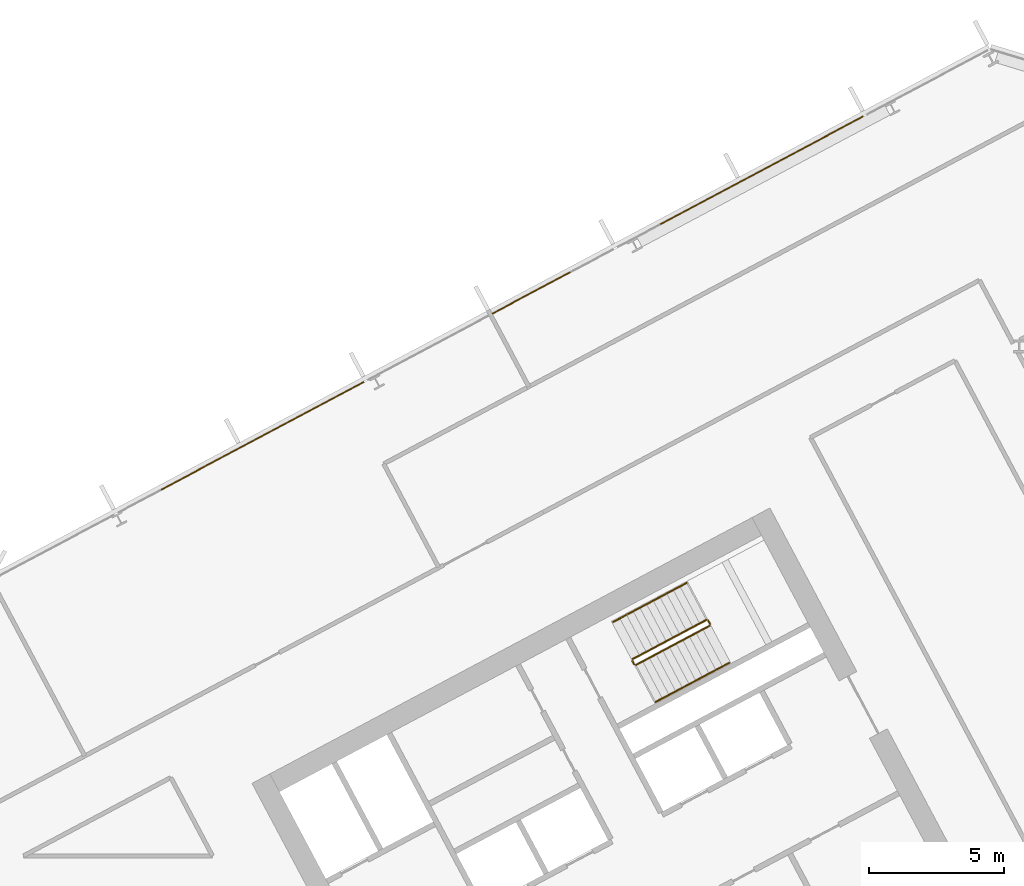
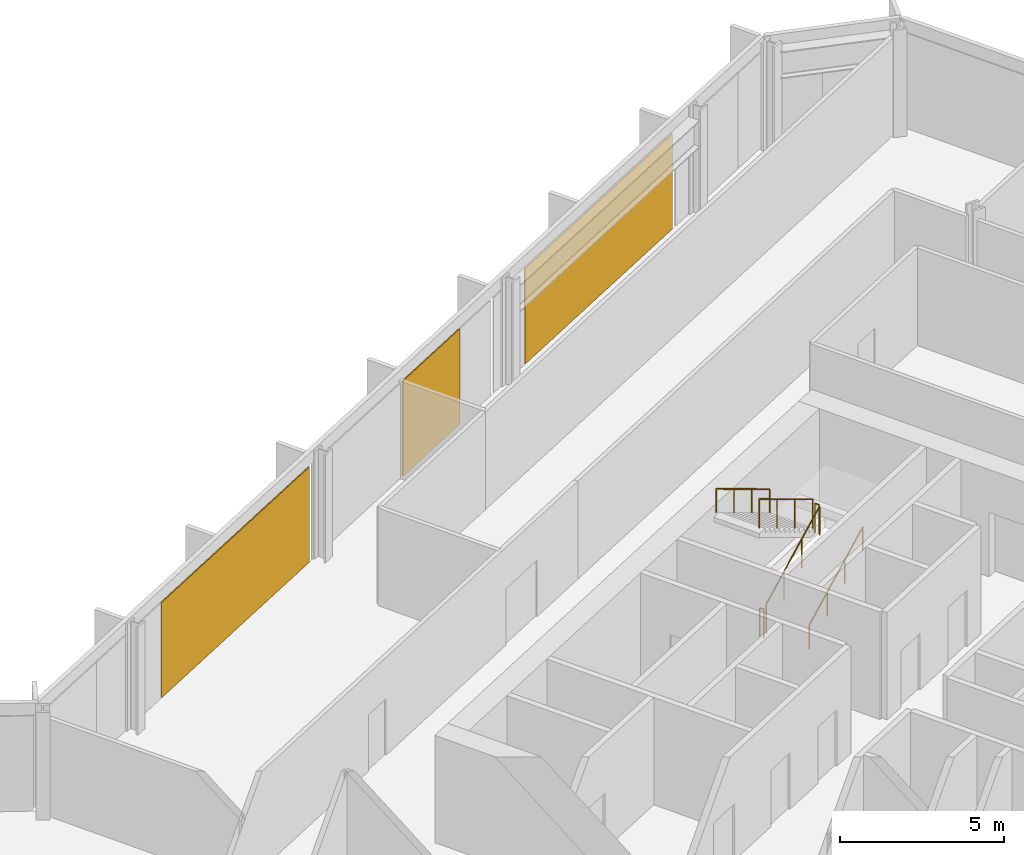
# One storey, part 27 of 28: 6 railings, 3 coverings, 1 element without a shape of its own.
"""IFC4 building model written with IfcOpenShell, lengths in metres."""

from ifc_helpers import new_model, si_unit, direction, frame, origin, origin_2d, place, context, subcontext, project, spatial, polyline, rectangle, outline, extrude, material, layer, layer_set, type_object, element, aggregate, save


model = new_model("IFC4")

# Units and contexts
model_context = context("Model", 3, precision=1e-05, world=origin(), true_north=direction((0.0, 1.0)))
body_context = subcontext(model_context, "Body", "Model", "MODEL_VIEW")
ifc_project = project(units=[si_unit("LENGTHUNIT", "METRE"), si_unit("AREAUNIT", "SQUARE_METRE"), si_unit("VOLUMEUNIT", "CUBIC_METRE"), si_unit("PLANEANGLEUNIT", "RADIAN"), si_unit("MASSUNIT", "GRAM", prefix="KILO")], contexts=[model_context])

# Site, building, storey
site_placement = place(None, origin())
site = spatial("IfcSite", under=ifc_project, at=site_placement, CompositionType="ELEMENT")
building_placement = place(site_placement, origin())
building = spatial("IfcBuilding", under=site, at=building_placement, Name="Cormorant Relay Tower", CompositionType="ELEMENT")
storey_placement = place(building_placement, frame((0.0, 0.0, 146.199951171875)))
storey = spatial("IfcBuildingStorey", under=building, at=storey_placement, Name="L30", CompositionType="ELEMENT", Elevation=146.199951171875)

# Curtain wall, coverings
ifc_material_1 = material(Name="Aluminium 6063-T6 anodised bronze", Category="aluminium")
ifc_layer_1 = layer(ifc_material_1, 0.199951171875)
ifc_layer_set_1 = layer_set([ifc_layer_1], Name="CW1 unitised bronze curtain wall with vertical fins")
curtain_wall_type = type_object("IfcCurtainWallType", Name="CW1 unitised bronze curtain wall with vertical fins", PredefinedType="NOTDEFINED", material=ifc_layer_set_1)
curtain_wall_placement = place(storey_placement, origin())
curtain_wall = element("IfcCurtainWall", 1, at=curtain_wall_placement, inside=storey, type_object=curtain_wall_type, Name="CW1 curtain wall 8", PredefinedType="NOTDEFINED")
ifc_material_2 = material(Name="Pale bronze anodised aluminium insulated panel", Category="aluminium")
ifc_layer_2 = layer(ifc_material_2, 0.0400390625)
ifc_layer_set_2 = layer_set([ifc_layer_2], Name="CW1 pale bronze insulated panel 40")
covering_type = type_object("IfcCoveringType", Name="CW1 pale bronze insulated panel 40", PredefinedType="CLADDING", material=ifc_layer_set_2)
covering_1_placement = place(storey_placement, frame((28.48828125, 38.9541015625, 0.0), z_axis=(0.0, 0.0, 1.0), x_axis=(-0.882947592859, -0.469471562786, 0.0)))
covering_1 = element("IfcCovering", 2, at=covering_1_placement, type_object=covering_type, Name="CW1 panel S02", PredefinedType="CLADDING", context=body_context, shape_type="SweptSolid", body=[
    extrude(rectangle(XDim=8.508544921875, YDim=0.0400390625, at=origin_2d()), origin(), (0.0, 0.0, 1.0), 3.550048828125),
])
covering_2_placement = place(storey_placement, frame((19.97314453125, 34.426513671875, 0.0), z_axis=(0.0, 0.0, 1.0), x_axis=(-0.882947592859, -0.469471562786, 0.0)))
covering_2 = element("IfcCovering", 3, at=covering_2_placement, type_object=covering_type, Name="CW1 panel S05", PredefinedType="CLADDING", context=body_context, shape_type="SweptSolid", body=[
    extrude(rectangle(XDim=3.279296875, YDim=0.0400390625, at=origin_2d()), origin(), (0.0, 0.0, 1.0), 3.550048828125),
])
covering_3_placement = place(storey_placement, frame((10.01953125, 29.134033203125, 0.0), z_axis=(0.0, 0.0, 1.0), x_axis=(-0.882947592859, -0.469471562786, 0.0)))
covering_3 = element("IfcCovering", 4, at=covering_3_placement, type_object=covering_type, Name="CW1 panel S07", PredefinedType="CLADDING", context=body_context, shape_type="SweptSolid", body=[
    extrude(rectangle(XDim=8.508544921875, YDim=0.0400390625, at=origin_2d()), origin(), (0.0, 0.0, 1.0), 3.550048828125),
])
aggregate(curtain_wall, [covering_1, covering_2, covering_3])

# Railings
ifc_material_3 = material(Name="Steel ASTM A572 Grade 50 (Fy 345 MPa)", Category="steel")
railing_type_1 = type_object("IfcRailingType", Name="Stair guard 1100", PredefinedType="GUARDRAIL", material=ifc_material_3)
railing_1_placement = place(storey_placement, frame((23.8408203125, 20.6611328125, 0.166748046875)))
element("IfcRailing", 5, at=railing_1_placement, inside=storey, type_object=railing_type_1, Name="L30 B2 stair guard 1", PredefinedType="GUARDRAIL", context=body_context, shape_type="SweptSolid", body=[
    extrude(outline(polyline([(0.022216796875, 0.00927734375), (0.00927734375, 0.022216796875), (-0.00927734375, 0.022216796875), (-0.022216796875, 0.00927734375), (-0.022216796875, -0.00927734375), (-0.00927734375, -0.022216796875), (0.00927734375, -0.022216796875), (0.022216796875, -0.00927734375), (0.022216796875, 0.00927734375)])), frame((0.0, 0.0, 1.076171875), z_axis=(0.758734504837, 0.403377838015, 0.511476559549), x_axis=(-0.469427602063, 0.882970965786, 0.0)), (0.0, 0.0, 1.0), 3.584228515625),
    extrude(outline(polyline([(0.019287109375, 0.008056640625), (0.008056640625, 0.019287109375), (-0.008056640625, 0.019287109375), (-0.019287109375, 0.008056640625), (-0.019287109375, -0.008056640625), (-0.008056640625, -0.019287109375), (0.008056640625, -0.019287109375), (0.019287109375, -0.008056640625), (0.019287109375, 0.008056640625)])), origin(), (0.0, 0.0, 1.0), 1.052001953125),
    extrude(outline(polyline([(0.019287109375, 0.008056640625), (0.008056640625, 0.019287109375), (-0.008056640625, 0.019287109375), (-0.019287109375, 0.008056640625), (-0.019287109375, -0.008056640625), (-0.008056640625, -0.019287109375), (0.008056640625, -0.019287109375), (0.019287109375, -0.008056640625), (0.019287109375, 0.008056640625)])), frame((0.906494140625, 0.48193359375, 0.611083984375)), (0.0, 0.0, 1.0), 1.052001953125),
    extrude(outline(polyline([(0.019287109375, 0.008056640625), (0.008056640625, 0.019287109375), (-0.008056640625, 0.019287109375), (-0.019287109375, 0.008056640625), (-0.019287109375, -0.008056640625), (-0.008056640625, -0.019287109375), (0.008056640625, -0.019287109375), (0.019287109375, -0.008056640625), (0.019287109375, 0.008056640625)])), frame((1.81298828125, 0.9638671875, 1.22216796875)), (0.0, 0.0, 1.0), 1.052001953125),
    extrude(outline(polyline([(0.019287109375, 0.008056640625), (0.008056640625, 0.019287109375), (-0.008056640625, 0.019287109375), (-0.019287109375, 0.008056640625), (-0.019287109375, -0.008056640625), (-0.008056640625, -0.019287109375), (0.008056640625, -0.019287109375), (0.019287109375, -0.008056640625), (0.019287109375, 0.008056640625)])), frame((2.719482421875, 1.44580078125, 1.833251953125)), (0.0, 0.0, 1.0), 1.052001953125),
])
railing_2_placement = place(storey_placement, frame((26.5810546875, 22.174560546875, 2.0)))
element("IfcRailing", 6, at=railing_2_placement, inside=storey, type_object=railing_type_1, Name="L30 B2 stair guard 2", PredefinedType="GUARDRAIL", context=body_context, shape_type="SweptSolid", body=[
    extrude(outline(polyline([(0.022216796875, 0.00927734375), (0.00927734375, 0.022216796875), (-0.00927734375, 0.022216796875), (-0.022216796875, 0.00927734375), (-0.022216796875, -0.00927734375), (-0.00927734375, -0.022216796875), (0.00927734375, -0.022216796875), (0.022216796875, -0.00927734375), (0.022216796875, 0.00927734375)])), frame((0.0, 0.0, 1.076171875), z_axis=(-0.469828648786, 0.882757634224, 0.0), x_axis=(-0.882757634224, -0.469828648786, 0.0)), (0.0, 0.0, 1.0), 0.150146484375),
    extrude(outline(polyline([(0.019287109375, 0.008056640625), (0.008056640625, 0.019287109375), (-0.008056640625, 0.019287109375), (-0.019287109375, 0.008056640625), (-0.019287109375, -0.008056640625), (-0.008056640625, -0.019287109375), (0.008056640625, -0.019287109375), (0.019287109375, -0.008056640625), (0.019287109375, 0.008056640625)])), origin(), (0.0, 0.0, 1.0), 1.052001953125),
    extrude(outline(polyline([(0.019287109375, 0.008056640625), (0.008056640625, 0.019287109375), (-0.008056640625, 0.019287109375), (-0.019287109375, 0.008056640625), (-0.019287109375, -0.008056640625), (-0.008056640625, -0.019287109375), (0.008056640625, -0.019287109375), (0.019287109375, -0.008056640625), (0.019287109375, 0.008056640625)])), frame((-0.070556640625, 0.132568359375, 0.0)), (0.0, 0.0, 1.0), 1.052001953125),
])
railing_3_placement = place(storey_placement, frame((26.44287109375, 22.32763671875, 2.166748046875)))
element("IfcRailing", 7, at=railing_3_placement, inside=storey, type_object=railing_type_1, Name="L30 B2 stair guard 3", PredefinedType="GUARDRAIL", context=body_context, shape_type="SweptSolid", body=[
    extrude(outline(polyline([(0.022216796875, 0.00927734375), (0.00927734375, 0.022216796875), (-0.00927734375, 0.022216796875), (-0.022216796875, 0.00927734375), (-0.022216796875, -0.00927734375), (-0.00927734375, -0.022216796875), (0.00927734375, -0.022216796875), (0.022216796875, -0.00927734375), (0.022216796875, 0.00927734375)])), frame((0.0, 0.0, 1.076171875), z_axis=(-0.758734504837, -0.403377838015, 0.511476559549), x_axis=(0.469427602063, -0.882970965786, 0.0)), (0.0, 0.0, 1.0), 3.584228515625),
    extrude(outline(polyline([(0.019287109375, 0.008056640625), (0.008056640625, 0.019287109375), (-0.008056640625, 0.019287109375), (-0.019287109375, 0.008056640625), (-0.019287109375, -0.008056640625), (-0.008056640625, -0.019287109375), (0.008056640625, -0.019287109375), (0.019287109375, -0.008056640625), (0.019287109375, 0.008056640625)])), origin(), (0.0, 0.0, 1.0), 1.052001953125),
    extrude(outline(polyline([(0.019287109375, 0.008056640625), (0.008056640625, 0.019287109375), (-0.008056640625, 0.019287109375), (-0.019287109375, 0.008056640625), (-0.019287109375, -0.008056640625), (-0.008056640625, -0.019287109375), (0.008056640625, -0.019287109375), (0.019287109375, -0.008056640625), (0.019287109375, 0.008056640625)])), frame((-0.906494140625, -0.48193359375, 0.611083984375)), (0.0, 0.0, 1.0), 1.052001953125),
    extrude(outline(polyline([(0.019287109375, 0.008056640625), (0.008056640625, 0.019287109375), (-0.008056640625, 0.019287109375), (-0.019287109375, 0.008056640625), (-0.019287109375, -0.008056640625), (-0.008056640625, -0.019287109375), (0.008056640625, -0.019287109375), (0.019287109375, -0.008056640625), (0.019287109375, 0.008056640625)])), frame((-1.81298828125, -0.9638671875, 1.22216796875)), (0.0, 0.0, 1.0), 1.052001953125),
    extrude(outline(polyline([(0.019287109375, 0.008056640625), (0.008056640625, 0.019287109375), (-0.008056640625, 0.019287109375), (-0.019287109375, 0.008056640625), (-0.019287109375, -0.008056640625), (-0.008056640625, -0.019287109375), (0.008056640625, -0.019287109375), (0.019287109375, -0.008056640625), (0.019287109375, 0.008056640625)])), frame((-2.719482421875, -1.44580078125, 1.833251953125)), (0.0, 0.0, 1.0), 1.052001953125),
])
railing_4_placement = place(storey_placement, frame((23.773193359375, 20.681640625, 0.0)))
element("IfcRailing", 8, at=railing_4_placement, inside=storey, type_object=railing_type_1, Name="L30 B2 stair guard 4", PredefinedType="GUARDRAIL", context=body_context, shape_type="SweptSolid", body=[
    extrude(outline(polyline([(0.022216796875, 0.00927734375), (0.00927734375, 0.022216796875), (-0.00927734375, 0.022216796875), (-0.022216796875, 0.00927734375), (-0.022216796875, -0.00927734375), (-0.00927734375, -0.022216796875), (0.00927734375, -0.022216796875), (0.022216796875, -0.00927734375), (0.022216796875, 0.00927734375)])), frame((0.0, 0.0, 1.076171875), z_axis=(-0.46856034887, 0.8834314911, 0.0), x_axis=(-0.8834314911, -0.46856034887, 0.0)), (0.0, 0.0, 1.0), 0.150146484375),
    extrude(outline(polyline([(0.019287109375, 0.008056640625), (0.008056640625, 0.019287109375), (-0.008056640625, 0.019287109375), (-0.019287109375, 0.008056640625), (-0.019287109375, -0.008056640625), (-0.008056640625, -0.019287109375), (0.008056640625, -0.019287109375), (0.019287109375, -0.008056640625), (0.019287109375, 0.008056640625)])), origin(), (0.0, 0.0, 1.0), 1.052001953125),
    extrude(outline(polyline([(0.019287109375, 0.008056640625), (0.008056640625, 0.019287109375), (-0.008056640625, 0.019287109375), (-0.019287109375, 0.008056640625), (-0.019287109375, -0.008056640625), (-0.008056640625, -0.019287109375), (0.008056640625, -0.019287109375), (0.019287109375, -0.008056640625), (0.019287109375, 0.008056640625)])), frame((-0.0703125, 0.132568359375, 0.0)), (0.0, 0.0, 1.0), 1.052001953125),
])
ifc_material_4 = material(Name="Steel ASTM A572 Grade 50 (Fy 345 MPa)", Category="steel")
railing_type_2 = type_object("IfcRailingType", Name="Stair handrail 900", PredefinedType="HANDRAIL", material=ifc_material_4)
railing_5_placement = place(storey_placement, frame((24.568603515625, 19.29248046875, 0.166748046875)))
element("IfcRailing", 9, at=railing_5_placement, inside=storey, type_object=railing_type_2, Name="L30 B2 stair handrail 1", PredefinedType="HANDRAIL", context=body_context, shape_type="SweptSolid", body=[
    extrude(outline(polyline([(0.022216796875, 0.00927734375), (0.00927734375, 0.022216796875), (-0.00927734375, 0.022216796875), (-0.022216796875, 0.00927734375), (-0.022216796875, -0.00927734375), (-0.00927734375, -0.022216796875), (0.00927734375, -0.022216796875), (0.022216796875, -0.00927734375), (0.022216796875, 0.00927734375)])), frame((0.0, 0.0, 0.8759765625), z_axis=(0.758713656843, 0.403434867536, 0.511462505542), x_axis=(-0.469489399267, 0.882938108802, 0.0)), (0.0, 0.0, 1.0), 3.584228515625),
    extrude(outline(polyline([(0.019287109375, 0.008056640625), (0.008056640625, 0.019287109375), (-0.008056640625, 0.019287109375), (-0.019287109375, 0.008056640625), (-0.019287109375, -0.008056640625), (-0.008056640625, -0.019287109375), (0.008056640625, -0.019287109375), (0.019287109375, -0.008056640625), (0.019287109375, 0.008056640625)])), origin(), (0.0, 0.0, 1.0), 0.851806640625),
    extrude(outline(polyline([(0.019287109375, 0.008056640625), (0.008056640625, 0.019287109375), (-0.008056640625, 0.019287109375), (-0.019287109375, 0.008056640625), (-0.019287109375, -0.008056640625), (-0.008056640625, -0.019287109375), (0.008056640625, -0.019287109375), (0.019287109375, -0.008056640625), (0.019287109375, 0.008056640625)])), frame((0.906494140625, 0.48193359375, 0.611083984375)), (0.0, 0.0, 1.0), 0.851806640625),
    extrude(outline(polyline([(0.019287109375, 0.008056640625), (0.008056640625, 0.019287109375), (-0.008056640625, 0.019287109375), (-0.019287109375, 0.008056640625), (-0.019287109375, -0.008056640625), (-0.008056640625, -0.019287109375), (0.008056640625, -0.019287109375), (0.019287109375, -0.008056640625), (0.019287109375, 0.008056640625)])), frame((1.81298828125, 0.964111328125, 1.22216796875)), (0.0, 0.0, 1.0), 0.851806640625),
    extrude(outline(polyline([(0.019287109375, 0.008056640625), (0.008056640625, 0.019287109375), (-0.008056640625, 0.019287109375), (-0.019287109375, 0.008056640625), (-0.019287109375, -0.008056640625), (-0.008056640625, -0.019287109375), (0.008056640625, -0.019287109375), (0.019287109375, -0.008056640625), (0.019287109375, 0.008056640625)])), frame((2.719482421875, 1.446044921875, 1.833251953125)), (0.0, 0.0, 1.0), 0.851806640625),
])
railing_6_placement = place(storey_placement, frame((25.71533203125, 23.6962890625, 2.166748046875)))
element("IfcRailing", 10, at=railing_6_placement, inside=storey, type_object=railing_type_2, Name="L30 B2 stair handrail 2", PredefinedType="HANDRAIL", context=body_context, shape_type="SweptSolid", body=[
    extrude(outline(polyline([(0.022216796875, 0.00927734375), (0.00927734375, 0.022216796875), (-0.00927734375, 0.022216796875), (-0.022216796875, 0.00927734375), (-0.022216796875, -0.00927734375), (-0.00927734375, -0.022216796875), (0.00927734375, -0.022216796875), (0.022216796875, -0.00927734375), (0.022216796875, 0.00927734375)])), frame((0.0, 0.0, 0.8759765625), z_axis=(-0.758713656843, -0.403434867536, 0.511462505542), x_axis=(0.469489399267, -0.882938108802, 0.0)), (0.0, 0.0, 1.0), 3.584228515625),
    extrude(outline(polyline([(0.019287109375, 0.008056640625), (0.008056640625, 0.019287109375), (-0.008056640625, 0.019287109375), (-0.019287109375, 0.008056640625), (-0.019287109375, -0.008056640625), (-0.008056640625, -0.019287109375), (0.008056640625, -0.019287109375), (0.019287109375, -0.008056640625), (0.019287109375, 0.008056640625)])), origin(), (0.0, 0.0, 1.0), 0.851806640625),
    extrude(outline(polyline([(0.019287109375, 0.008056640625), (0.008056640625, 0.019287109375), (-0.008056640625, 0.019287109375), (-0.019287109375, 0.008056640625), (-0.019287109375, -0.008056640625), (-0.008056640625, -0.019287109375), (0.008056640625, -0.019287109375), (0.019287109375, -0.008056640625), (0.019287109375, 0.008056640625)])), frame((-0.906494140625, -0.48193359375, 0.611083984375)), (0.0, 0.0, 1.0), 0.851806640625),
    extrude(outline(polyline([(0.019287109375, 0.008056640625), (0.008056640625, 0.019287109375), (-0.008056640625, 0.019287109375), (-0.019287109375, 0.008056640625), (-0.019287109375, -0.008056640625), (-0.008056640625, -0.019287109375), (0.008056640625, -0.019287109375), (0.019287109375, -0.008056640625), (0.019287109375, 0.008056640625)])), frame((-1.81298828125, -0.964111328125, 1.22216796875)), (0.0, 0.0, 1.0), 0.851806640625),
    extrude(outline(polyline([(0.019287109375, 0.008056640625), (0.008056640625, 0.019287109375), (-0.008056640625, 0.019287109375), (-0.019287109375, 0.008056640625), (-0.019287109375, -0.008056640625), (-0.008056640625, -0.019287109375), (0.008056640625, -0.019287109375), (0.019287109375, -0.008056640625), (0.019287109375, 0.008056640625)])), frame((-2.719482421875, -1.446044921875, 1.833251953125)), (0.0, 0.0, 1.0), 0.851806640625),
])

save(model, "model.ifc")
